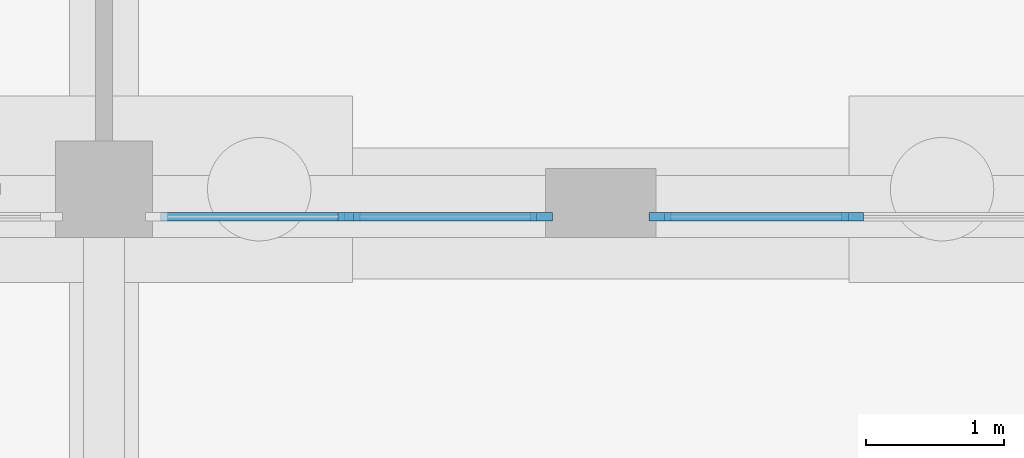
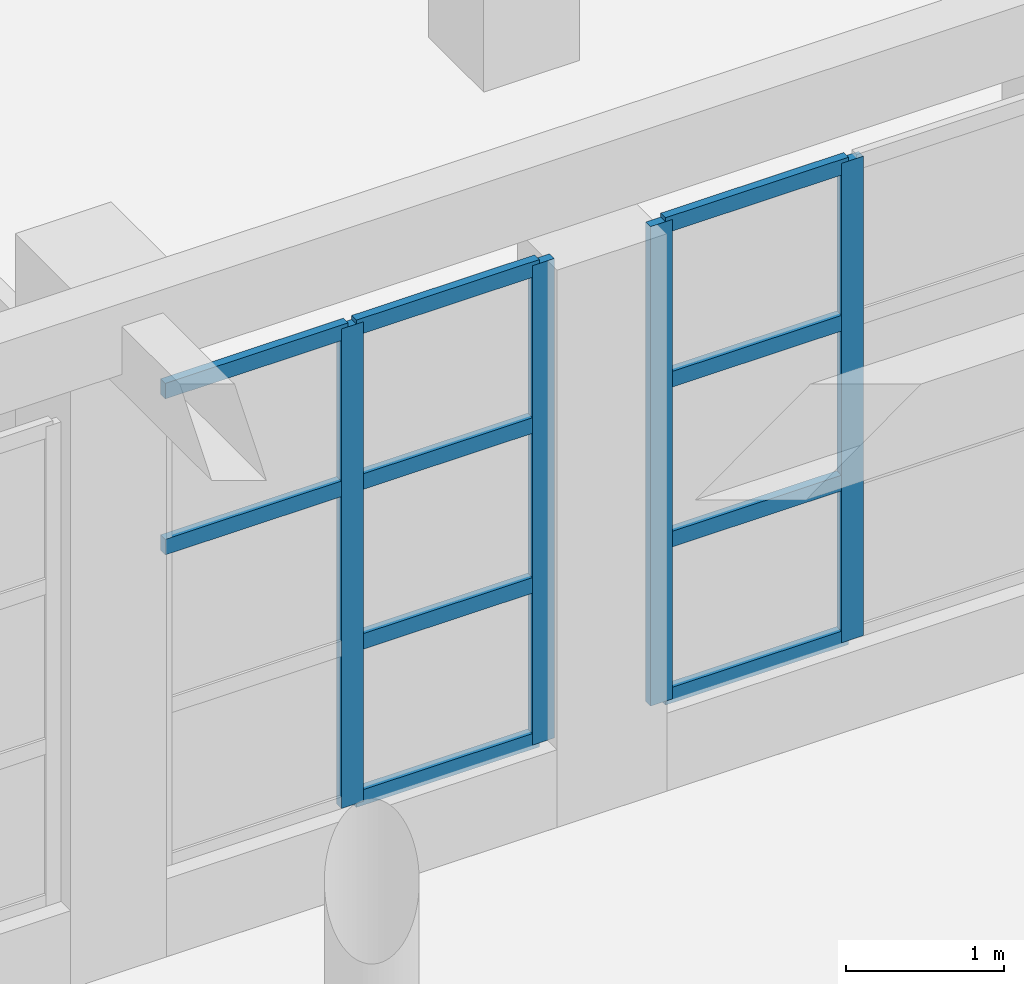
# One storey, part 25 of 80: 14 members, 2 elements without a shape of their own.
"""IFC4 building model written with IfcOpenShell, lengths in metres."""

from ifc_helpers import new_model, si_unit, direction, frame, origin, origin_2d, place, context, subcontext, project, spatial, rectangle, extrude, material, layer, layer_set, material_profile, profile_set, type_object, element, aggregate, save


model = new_model("IFC4")

# Units and contexts
model_context = context("Model", 3, precision=1e-05, world=origin(), true_north=direction((0.0, 1.0)))
body_context = subcontext(model_context, "Body", "Model", "MODEL_VIEW")
ifc_project = project(units=[si_unit("LENGTHUNIT", "METRE"), si_unit("AREAUNIT", "SQUARE_METRE"), si_unit("VOLUMEUNIT", "CUBIC_METRE"), si_unit("PLANEANGLEUNIT", "RADIAN"), si_unit("MASSUNIT", "GRAM", prefix="KILO")], contexts=[model_context])

# Site, building, storey
site_placement = place(None, origin())
site = spatial("IfcSite", under=ifc_project, at=site_placement, CompositionType="ELEMENT")
building_placement = place(site_placement, origin())
building = spatial("IfcBuilding", under=site, at=building_placement, Name="Ussher Court Research Institute", CompositionType="ELEMENT")
storey_placement = place(building_placement, origin())
storey = spatial("IfcBuildingStorey", under=building, at=storey_placement, Name="L00", CompositionType="ELEMENT", Elevation=0.0)

# Curtain wall, members
ifc_material_1 = material(Name="Bronze anodised aluminium with laminated safety glass", Category="aluminium")
ifc_layer = layer(ifc_material_1, 0.1201171875)
ifc_layer_set = layer_set([ifc_layer], Name="Bronze anodised aluminium with laminated safety glass")
curtain_wall_type = type_object("IfcCurtainWallType", Name="Curtain wall dry laboratory base storefront", PredefinedType="NOTDEFINED", material=ifc_layer_set)
curtain_wall_1_placement = place(storey_placement, origin())
curtain_wall_1 = element("IfcCurtainWall", 1, at=curtain_wall_1_placement, inside=storey, type_object=curtain_wall_type, Name="Curtain wall CW4 L00", PredefinedType="NOTDEFINED")
ifc_material_2 = material(Name="Bronze anodised aluminium", Category="aluminium")
ifc_material_profile_1 = material_profile(ifc_material_2, rectangle(XDim=0.06005859375, YDim=0.159912109375, at=origin_2d()), Name="Mullion 60x160")
ifc_profile_set_1 = profile_set([ifc_material_profile_1], Name="Bronze anodised aluminium")
member_type_1 = type_object("IfcMemberType", Name="Mullion 60x160", PredefinedType="MULLION", material=ifc_profile_set_1)
member_1_placement = place(storey_placement, frame((66.02490234375, 68.550048828125, 0.60009765625), z_axis=(0.0, 0.0, 1.0), x_axis=(0.0, -1.0, 0.0)))
member_1 = element("IfcMember", 2, at=member_1_placement, type_object=member_type_1, Name="CW4 mullion 2", PredefinedType="MULLION", context=body_context, shape_type="SweptSolid", body=[
    extrude(rectangle(XDim=0.06005859375, YDim=0.159912109375, at=origin_2d()), origin(), (0.0, 0.0, 1.0), 3.699951171875),
])
member_2_placement = place(storey_placement, frame((64.6298828125, 68.550048828125, 0.60009765625), z_axis=(0.0, 0.0, 1.0), x_axis=(0.0, -1.0, 0.0)))
member_2 = element("IfcMember", 3, at=member_2_placement, type_object=member_type_1, Name="CW4 mullion 3", PredefinedType="MULLION", context=body_context, shape_type="SweptSolid", body=[
    extrude(rectangle(XDim=0.06005859375, YDim=0.159912109375, at=origin_2d()), origin(), (0.0, 0.0, 1.0), 3.699951171875),
])

curtain_wall_2_placement = place(storey_placement, origin())
curtain_wall_2 = element("IfcCurtainWall", 4, at=curtain_wall_2_placement, inside=storey, type_object=curtain_wall_type, Name="Curtain wall CW4 L00", PredefinedType="NOTDEFINED")
member_3_placement = place(storey_placement, frame((63.77001953125, 68.550048828125, 0.60009765625), z_axis=(0.0, 0.0, 1.0), x_axis=(0.0, -1.0, 0.0)))
member_3 = element("IfcMember", 5, at=member_3_placement, type_object=member_type_1, Name="CW4 mullion 1", PredefinedType="MULLION", context=body_context, shape_type="SweptSolid", body=[
    extrude(rectangle(XDim=0.06005859375, YDim=0.159912109375, at=origin_2d()), origin(), (0.0, 0.0, 1.0), 3.699951171875),
])
member_4_placement = place(storey_placement, frame((62.375, 68.550048828125, 0.60009765625), z_axis=(0.0, 0.0, 1.0), x_axis=(0.0, -1.0, 0.0)))
member_4 = element("IfcMember", 6, at=member_4_placement, type_object=member_type_1, Name="CW4 mullion 2", PredefinedType="MULLION", context=body_context, shape_type="SweptSolid", body=[
    extrude(rectangle(XDim=0.06005859375, YDim=0.159912109375, at=origin_2d()), origin(), (0.0, 0.0, 1.0), 3.699951171875),
])

# Member
ifc_material_3 = material(Name="Bronze anodised aluminium", Category="aluminium")
ifc_material_profile_2 = material_profile(ifc_material_3, rectangle(XDim=0.06005859375, YDim=0.1201171875, at=origin_2d()), Name="Transom 60x120")
ifc_profile_set_2 = profile_set([ifc_material_profile_2], Name="Bronze anodised aluminium")
member_type_2 = type_object("IfcMemberType", Name="Transom 60x120", PredefinedType="USERDEFINED", material=ifc_profile_set_2)
member_5_placement = place(storey_placement, frame((65.9951171875, 68.550048828125, 0.6298828125), z_axis=(-1.0, 0.0, 0.0), x_axis=(0.0, -1.0, 0.0)))
member_5 = element("IfcMember", 7, at=member_5_placement, type_object=member_type_2, Name="CW4 transom 2.1", ObjectType="TRANSOM", PredefinedType="USERDEFINED", context=body_context, shape_type="SweptSolid", body=[
    extrude(rectangle(XDim=0.06005859375, YDim=0.1201171875, at=origin_2d()), origin(), (0.0, 0.0, 1.0), 1.335205078125),
])

member_6_placement = place(storey_placement, frame((65.9951171875, 68.550048828125, 1.833251953125), z_axis=(-1.0, 0.0, 0.0), x_axis=(0.0, -1.0, 0.0)))
member_6 = element("IfcMember", 8, at=member_6_placement, type_object=member_type_2, Name="CW4 transom 2.2", ObjectType="TRANSOM", PredefinedType="USERDEFINED", context=body_context, shape_type="SweptSolid", body=[
    extrude(rectangle(XDim=0.06005859375, YDim=0.1201171875, at=origin_2d()), origin(), (0.0, 0.0, 1.0), 1.335205078125),
])

member_7_placement = place(storey_placement, frame((65.9951171875, 68.550048828125, 3.066650390625), z_axis=(-1.0, 0.0, 0.0), x_axis=(0.0, -1.0, 0.0)))
member_7 = element("IfcMember", 9, at=member_7_placement, type_object=member_type_2, Name="CW4 transom 2.3", ObjectType="TRANSOM", PredefinedType="USERDEFINED", context=body_context, shape_type="SweptSolid", body=[
    extrude(rectangle(XDim=0.06005859375, YDim=0.1201171875, at=origin_2d()), origin(), (0.0, 0.0, 1.0), 1.335205078125),
])

member_8_placement = place(storey_placement, frame((65.9951171875, 68.550048828125, 4.27001953125), z_axis=(-1.0, 0.0, 0.0), x_axis=(0.0, -1.0, 0.0)))
member_8 = element("IfcMember", 10, at=member_8_placement, type_object=member_type_2, Name="CW4 transom 2.4", ObjectType="TRANSOM", PredefinedType="USERDEFINED", context=body_context, shape_type="SweptSolid", body=[
    extrude(rectangle(XDim=0.06005859375, YDim=0.1201171875, at=origin_2d()), origin(), (0.0, 0.0, 1.0), 1.335205078125),
])

aggregate(curtain_wall_1, [member_1, member_2, member_5, member_6, member_7, member_8])

member_9_placement = place(storey_placement, frame((63.739990234375, 68.550048828125, 0.6298828125), z_axis=(-1.0, 0.0, 0.0), x_axis=(0.0, -1.0, 0.0)))
member_9 = element("IfcMember", 11, at=member_9_placement, type_object=member_type_2, Name="CW4 transom 1.1", ObjectType="TRANSOM", PredefinedType="USERDEFINED", context=body_context, shape_type="SweptSolid", body=[
    extrude(rectangle(XDim=0.06005859375, YDim=0.1201171875, at=origin_2d()), origin(), (0.0, 0.0, 1.0), 1.3349609375),
])

member_10_placement = place(storey_placement, frame((63.739990234375, 68.550048828125, 1.833251953125), z_axis=(-1.0, 0.0, 0.0), x_axis=(0.0, -1.0, 0.0)))
member_10 = element("IfcMember", 12, at=member_10_placement, type_object=member_type_2, Name="CW4 transom 1.2", ObjectType="TRANSOM", PredefinedType="USERDEFINED", context=body_context, shape_type="SweptSolid", body=[
    extrude(rectangle(XDim=0.06005859375, YDim=0.1201171875, at=origin_2d()), origin(), (0.0, 0.0, 1.0), 1.3349609375),
])

member_11_placement = place(storey_placement, frame((63.739990234375, 68.550048828125, 3.066650390625), z_axis=(-1.0, 0.0, 0.0), x_axis=(0.0, -1.0, 0.0)))
member_11 = element("IfcMember", 13, at=member_11_placement, type_object=member_type_2, Name="CW4 transom 1.3", ObjectType="TRANSOM", PredefinedType="USERDEFINED", context=body_context, shape_type="SweptSolid", body=[
    extrude(rectangle(XDim=0.06005859375, YDim=0.1201171875, at=origin_2d()), origin(), (0.0, 0.0, 1.0), 1.3349609375),
])

member_12_placement = place(storey_placement, frame((63.739990234375, 68.550048828125, 4.27001953125), z_axis=(-1.0, 0.0, 0.0), x_axis=(0.0, -1.0, 0.0)))
member_12 = element("IfcMember", 14, at=member_12_placement, type_object=member_type_2, Name="CW4 transom 1.4", ObjectType="TRANSOM", PredefinedType="USERDEFINED", context=body_context, shape_type="SweptSolid", body=[
    extrude(rectangle(XDim=0.06005859375, YDim=0.1201171875, at=origin_2d()), origin(), (0.0, 0.0, 1.0), 1.3349609375),
])

member_13_placement = place(storey_placement, frame((62.344970703125, 68.550048828125, 3.066650390625), z_axis=(-1.0, 0.0, 0.0), x_axis=(0.0, -1.0, 0.0)))
member_13 = element("IfcMember", 15, at=member_13_placement, type_object=member_type_2, Name="CW4 transom 2.3", ObjectType="TRANSOM", PredefinedType="USERDEFINED", context=body_context, shape_type="SweptSolid", body=[
    extrude(rectangle(XDim=0.06005859375, YDim=0.1201171875, at=origin_2d()), origin(), (0.0, 0.0, 1.0), 1.3349609375),
])

member_14_placement = place(storey_placement, frame((62.344970703125, 68.550048828125, 4.27001953125), z_axis=(-1.0, 0.0, 0.0), x_axis=(0.0, -1.0, 0.0)))
member_14 = element("IfcMember", 16, at=member_14_placement, type_object=member_type_2, Name="CW4 transom 2.4", ObjectType="TRANSOM", PredefinedType="USERDEFINED", context=body_context, shape_type="SweptSolid", body=[
    extrude(rectangle(XDim=0.06005859375, YDim=0.1201171875, at=origin_2d()), origin(), (0.0, 0.0, 1.0), 1.3349609375),
])

aggregate(curtain_wall_2, [member_3, member_4, member_9, member_10, member_11, member_12, member_13, member_14])

save(model, "model.ifc")
